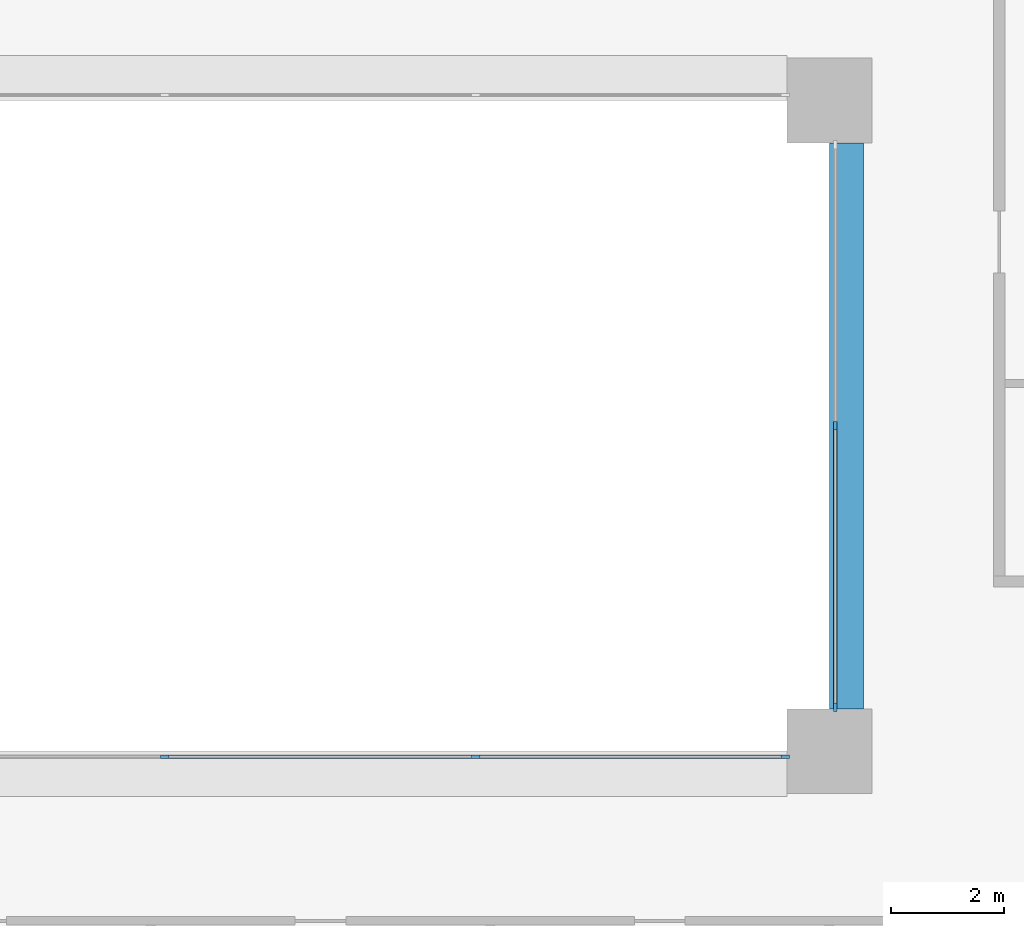
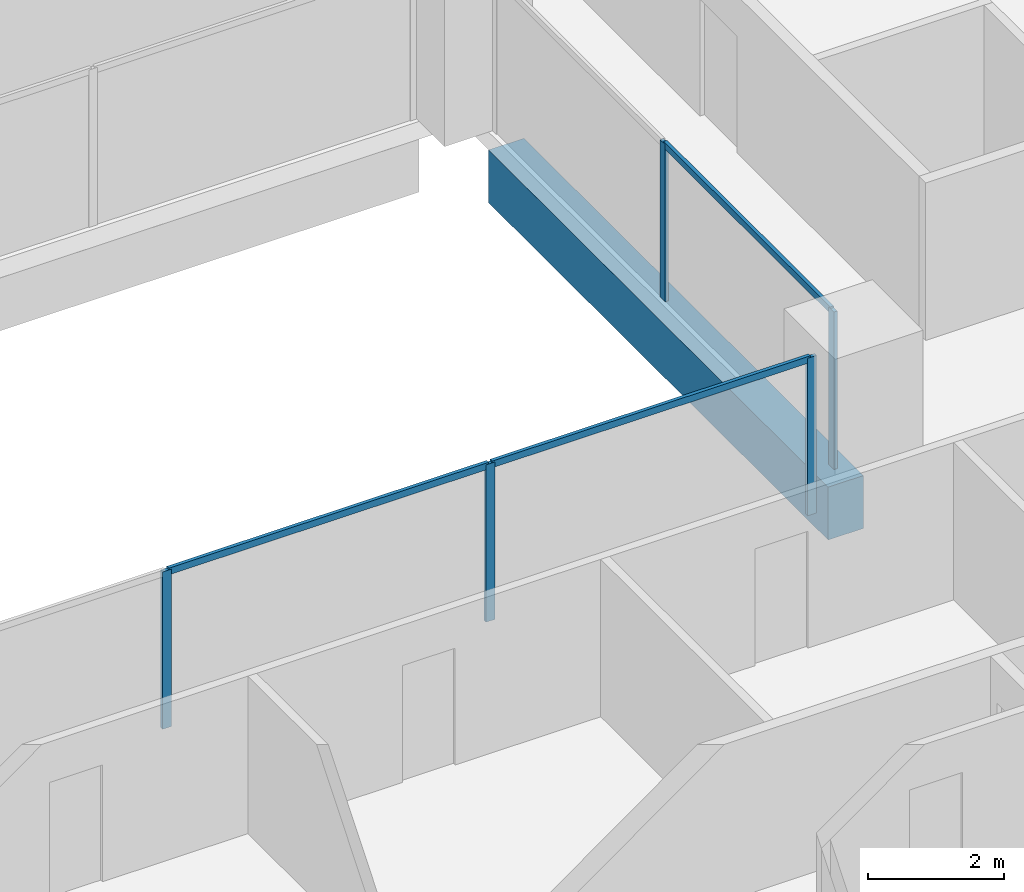
# One storey, part 4 of 19: 8 members, 1 beam, 2 elements without a shape of their own.
"""IFC4 building model written with IfcOpenShell, lengths in metres."""

from ifc_helpers import new_model, si_unit, direction, frame, origin, origin_2d, place, context, subcontext, project, spatial, rectangle, extrude, material, layer, layer_set, material_profile, profile_set, type_object, element, aggregate, save


model = new_model("IFC4")

# Units and contexts
model_context = context("Model", 3, precision=1e-05, world=origin(), true_north=direction((0.0, 1.0)))
body_context = subcontext(model_context, "Body", "Model", "MODEL_VIEW")
ifc_project = project(units=[si_unit("LENGTHUNIT", "METRE"), si_unit("AREAUNIT", "SQUARE_METRE"), si_unit("VOLUMEUNIT", "CUBIC_METRE"), si_unit("PLANEANGLEUNIT", "RADIAN"), si_unit("MASSUNIT", "GRAM", prefix="KILO")], contexts=[model_context])

# Site, building, storey
site_placement = place(None, origin())
site = spatial("IfcSite", under=ifc_project, at=site_placement, CompositionType="ELEMENT")
building_placement = place(site_placement, origin())
building = spatial("IfcBuilding", under=site, at=building_placement, Name="Brigalow Station Residences", CompositionType="ELEMENT")
storey_placement = place(building_placement, frame((0.0, 0.0, 22.64990234375)))
storey = spatial("IfcBuildingStorey", under=building, at=storey_placement, Name="L05", CompositionType="ELEMENT", Elevation=22.64990234375)

# Beam
ifc_material_1 = material(Name="Concrete C65", Category="concrete")
ifc_material_profile_1 = material_profile(ifc_material_1, rectangle(XDim=0.60009765625, YDim=0.949951171875, at=origin_2d()), Name="RC600x950")
ifc_profile_set_1 = profile_set([ifc_material_profile_1], Name="Concrete C65")
beam_type = type_object("IfcBeamType", Name="ATRIUM EDGE GIRDER 600x950 C65", PredefinedType="BEAM", material=ifc_profile_set_1)
beam_placement = place(storey_placement, frame((45.300048828125, 24.75, -0.794921875), z_axis=(0.0, 1.0, 0.0), x_axis=(-1.0, 0.0, 0.0)))
element("IfcBeam", 1, at=beam_placement, inside=storey, type_object=beam_type, Name="ATRIUM EDGE GIRDER 5 L05", PredefinedType="BEAM", context=body_context, shape_type="SweptSolid", body=[
    extrude(rectangle(XDim=0.60009765625, YDim=0.949951171875, at=origin_2d()), origin(), (0.0, 0.0, 1.0), 10.0),
])

# Curtain wall, members
ifc_material_2 = material(Name="Aluminium", Category="aluminium")
ifc_layer = layer(ifc_material_2, 0.14990234375)
ifc_layer_set = layer_set([ifc_layer], Name="ATRIUM FIRE-RATED GLAZING CURTAIN WALL")
curtain_wall_type = type_object("IfcCurtainWallType", Name="ATRIUM FIRE-RATED GLAZING CURTAIN WALL", PredefinedType="NOTDEFINED", material=ifc_layer_set)
curtain_wall_1_placement = place(storey_placement, origin())
curtain_wall_1 = element("IfcCurtainWall", 2, at=curtain_wall_1_placement, inside=storey, type_object=curtain_wall_type, Name="L05/cw/atrium-S", PredefinedType="NOTDEFINED")
ifc_material_3 = material(Name="Aluminium", Category="aluminium")
ifc_material_profile_2 = material_profile(ifc_material_3, rectangle(XDim=0.06005859375, YDim=0.14990234375, at=origin_2d()), Name="ATRIUM FIRE-RATED GLAZING MULLION 60x150")
ifc_profile_set_2 = profile_set([ifc_material_profile_2], Name="Aluminium")
member_type_1 = type_object("IfcMemberType", Name="ATRIUM FIRE-RATED GLAZING MULLION 60x150", PredefinedType="MULLION", material=ifc_profile_set_2)
member_1_placement = place(storey_placement, frame((33.25, 23.89990234375, 0.0), z_axis=(0.0, 0.0, 1.0), x_axis=(0.0, 1.0, 0.0)))
member_1 = element("IfcMember", 3, at=member_1_placement, type_object=member_type_1, Name="L05/cw/atrium-S/M01", PredefinedType="MULLION", context=body_context, shape_type="SweptSolid", body=[
    extrude(rectangle(XDim=0.06005859375, YDim=0.14990234375, at=origin_2d()), origin(), (0.0, 0.0, 1.0), 2.830078125),
])
member_2_placement = place(storey_placement, frame((38.75, 23.89990234375, 0.0), z_axis=(0.0, 0.0, 1.0), x_axis=(0.0, 1.0, 0.0)))
member_2 = element("IfcMember", 4, at=member_2_placement, type_object=member_type_1, Name="L05/cw/atrium-S/M02", PredefinedType="MULLION", context=body_context, shape_type="SweptSolid", body=[
    extrude(rectangle(XDim=0.06005859375, YDim=0.14990234375, at=origin_2d()), origin(), (0.0, 0.0, 1.0), 2.830078125),
])
member_3_placement = place(storey_placement, frame((44.219970703125, 23.89990234375, 0.0), z_axis=(0.0, 0.0, 1.0), x_axis=(0.0, 1.0, 0.0)))
member_3 = element("IfcMember", 5, at=member_3_placement, type_object=member_type_1, Name="L05/cw/atrium-S/M03", PredefinedType="MULLION", context=body_context, shape_type="SweptSolid", body=[
    extrude(rectangle(XDim=0.06005859375, YDim=0.14990234375, at=origin_2d()), origin(), (0.0, 0.0, 1.0), 2.830078125),
])

curtain_wall_2_placement = place(storey_placement, origin())
curtain_wall_2 = element("IfcCurtainWall", 6, at=curtain_wall_2_placement, inside=storey, type_object=curtain_wall_type, Name="L05/cw/atrium-E", PredefinedType="NOTDEFINED")
member_4_placement = place(storey_placement, frame((45.10009765625, 24.780029296875, 0.0), z_axis=(0.0, 0.0, 1.0), x_axis=(-1.0, 0.0, 0.0)))
member_4 = element("IfcMember", 7, at=member_4_placement, type_object=member_type_1, Name="L05/cw/atrium-E/M00", PredefinedType="MULLION", context=body_context, shape_type="SweptSolid", body=[
    extrude(rectangle(XDim=0.06005859375, YDim=0.14990234375, at=origin_2d()), origin(), (0.0, 0.0, 1.0), 2.830078125),
])
member_5_placement = place(storey_placement, frame((45.10009765625, 29.75, 0.0), z_axis=(0.0, 0.0, 1.0), x_axis=(-1.0, 0.0, 0.0)))
member_5 = element("IfcMember", 8, at=member_5_placement, type_object=member_type_1, Name="L05/cw/atrium-E/M01", PredefinedType="MULLION", context=body_context, shape_type="SweptSolid", body=[
    extrude(rectangle(XDim=0.06005859375, YDim=0.14990234375, at=origin_2d()), origin(), (0.0, 0.0, 1.0), 2.830078125),
])

# Member
ifc_material_4 = material(Name="Aluminium", Category="aluminium")
ifc_material_profile_3 = material_profile(ifc_material_4, rectangle(XDim=0.06005859375, YDim=0.1201171875, at=origin_2d()), Name="ATRIUM FIRE-RATED GLAZING TRANSOM 60x120")
ifc_profile_set_3 = profile_set([ifc_material_profile_3], Name="Aluminium")
member_type_2 = type_object("IfcMemberType", Name="ATRIUM FIRE-RATED GLAZING TRANSOM 60x120", PredefinedType="USERDEFINED", material=ifc_profile_set_3)
member_6_placement = place(storey_placement, frame((33.280029296875, 23.89990234375, 2.800048828125), z_axis=(1.0, 0.0, 0.0), x_axis=(0.0, 1.0, 0.0)))
member_6 = element("IfcMember", 9, at=member_6_placement, type_object=member_type_2, Name="L05/cw/atrium-S/T01-00", ObjectType="TRANSOM", PredefinedType="USERDEFINED", context=body_context, shape_type="SweptSolid", body=[
    extrude(rectangle(XDim=0.06005859375, YDim=0.1201171875, at=origin_2d()), origin(), (0.0, 0.0, 1.0), 5.43994140625),
])

member_7_placement = place(storey_placement, frame((38.780029296875, 23.89990234375, 2.800048828125), z_axis=(1.0, 0.0, 0.0), x_axis=(0.0, 1.0, 0.0)))
member_7 = element("IfcMember", 10, at=member_7_placement, type_object=member_type_2, Name="L05/cw/atrium-S/T02-00", ObjectType="TRANSOM", PredefinedType="USERDEFINED", context=body_context, shape_type="SweptSolid", body=[
    extrude(rectangle(XDim=0.06005859375, YDim=0.1201171875, at=origin_2d()), origin(), (0.0, 0.0, 1.0), 5.409912109375),
])

aggregate(curtain_wall_1, [member_1, member_2, member_3, member_6, member_7])

member_8_placement = place(storey_placement, frame((45.10009765625, 24.81005859375, 2.800048828125), z_axis=(0.0, 1.0, 0.0), x_axis=(-1.0, 0.0, 0.0)))
member_8 = element("IfcMember", 11, at=member_8_placement, type_object=member_type_2, Name="L05/cw/atrium-E/T00-00", ObjectType="TRANSOM", PredefinedType="USERDEFINED", context=body_context, shape_type="SweptSolid", body=[
    extrude(rectangle(XDim=0.06005859375, YDim=0.1201171875, at=origin_2d()), origin(), (0.0, 0.0, 1.0), 4.909912109375),
])

aggregate(curtain_wall_2, [member_4, member_5, member_8])

save(model, "model.ifc")
